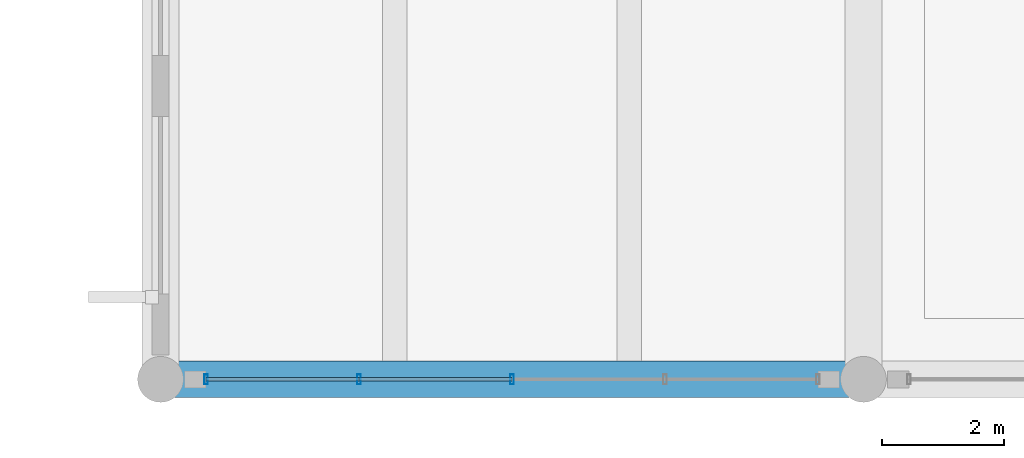
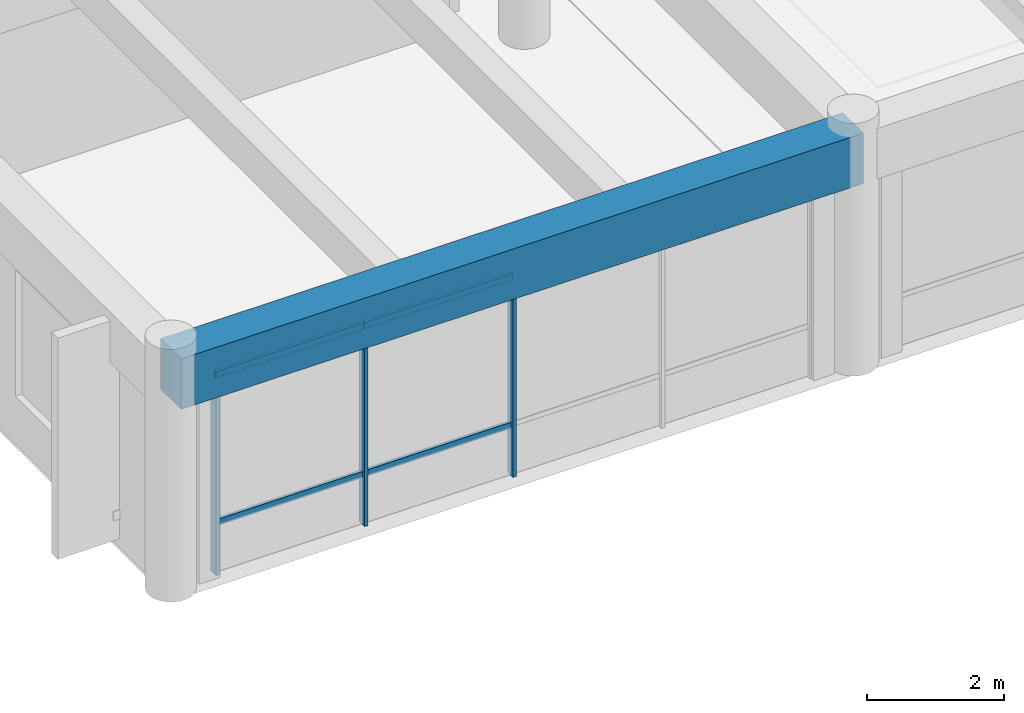
# One storey, part 6 of 154: 7 members, 1 beam, 1 element without a shape of its own.
"""IFC4 building model written with IfcOpenShell, lengths in metres."""

from ifc_helpers import new_model, si_unit, direction, frame, origin, origin_2d, place, context, subcontext, project, spatial, rectangle, hollow_rectangle, extrude, material, material_profile, profile_set, type_object, element, aggregate, save


model = new_model("IFC4")

# Units and contexts
model_context = context("Model", 3, precision=1e-05, world=origin(), true_north=direction((0.0, 1.0)))
body_context = subcontext(model_context, "Body", "Model", "MODEL_VIEW")
ifc_project = project(units=[si_unit("LENGTHUNIT", "METRE"), si_unit("AREAUNIT", "SQUARE_METRE"), si_unit("VOLUMEUNIT", "CUBIC_METRE"), si_unit("PLANEANGLEUNIT", "RADIAN"), si_unit("MASSUNIT", "GRAM", prefix="KILO")], contexts=[model_context])

# Site, building, storey
site_placement = place(None, origin())
site = spatial("IfcSite", under=ifc_project, at=site_placement, CompositionType="ELEMENT")
building_placement = place(site_placement, origin())
building = spatial("IfcBuilding", under=site, at=building_placement, Name="Ologun Quay Terminus", CompositionType="ELEMENT")
storey_placement = place(building_placement, frame((0.0, 0.0, 13.800048828125)))
storey = spatial("IfcBuildingStorey", under=building, at=storey_placement, Name="L03", CompositionType="ELEMENT", Elevation=13.800048828125)

# Curtain wall, members
ifc_material_1 = material(Name="Aluminium 6063-T6", Category="aluminium")
curtain_wall_type = type_object("IfcCurtainWallType", Name="South Pavilion Reading Hall Curtain Wall 10700x4150", PredefinedType="USERDEFINED", material=ifc_material_1)
curtain_wall_placement = place(storey_placement, origin())
curtain_wall = element("IfcCurtainWall", 1, at=curtain_wall_placement, inside=storey, type_object=curtain_wall_type, Name="CW-06 Curtain Wall CW-L03-034", ObjectType="UNITISED CURTAIN WALL", PredefinedType="USERDEFINED")
ifc_material_2 = material(Name="Aluminium 6063-T6", Category="aluminium")
ifc_material_profile_1 = material_profile(ifc_material_2, hollow_rectangle(XDim=0.06005859375, YDim=0.159912109375, WallThickness=0.00390625, at=origin_2d()), Name="ALU 160x60x4")
ifc_profile_set_1 = profile_set([ifc_material_profile_1], Name="Aluminium 6063-T6")
member_type_1 = type_object("IfcMemberType", Name="Curtain Wall Standard Mullion 160x65", PredefinedType="MULLION", material=ifc_profile_set_1)
member_1_placement = place(storey_placement, frame((58.2451171875, 8.0, 0.0), z_axis=(0.0, 0.0, 1.0), x_axis=(1.0, 0.0, 0.0)))
member_1 = element("IfcMember", 2, at=member_1_placement, type_object=member_type_1, Name="CW-L03-034 Mullion 1", PredefinedType="MULLION", context=body_context, shape_type="SweptSolid", body=[
    extrude(hollow_rectangle(XDim=0.06005859375, YDim=0.159912109375, WallThickness=0.00390625, at=origin_2d()), origin(), (0.0, 0.0, 1.0), 4.239990234375),
])
member_2_placement = place(storey_placement, frame((60.74755859375, 8.0, 0.0), z_axis=(0.0, 0.0, 1.0), x_axis=(1.0, 0.0, 0.0)))
member_2 = element("IfcMember", 3, at=member_2_placement, type_object=member_type_1, Name="CW-L03-034 Mullion 2", PredefinedType="MULLION", context=body_context, shape_type="SweptSolid", body=[
    extrude(hollow_rectangle(XDim=0.06005859375, YDim=0.159912109375, WallThickness=0.00390625, at=origin_2d()), origin(), (0.0, 0.0, 1.0), 4.239990234375),
])
member_3_placement = place(storey_placement, frame((63.25, 8.0, 0.0), z_axis=(0.0, 0.0, 1.0), x_axis=(1.0, 0.0, 0.0)))
member_3 = element("IfcMember", 4, at=member_3_placement, type_object=member_type_1, Name="CW-L03-034 Mullion 3", PredefinedType="MULLION", context=body_context, shape_type="SweptSolid", body=[
    extrude(hollow_rectangle(XDim=0.06005859375, YDim=0.159912109375, WallThickness=0.00390625, at=origin_2d()), origin(), (0.0, 0.0, 1.0), 4.239990234375),
])
ifc_material_3 = material(Name="Aluminium 6063-T6", Category="aluminium")
ifc_material_profile_2 = material_profile(ifc_material_3, hollow_rectangle(XDim=0.054931640625, YDim=0.110107421875, WallThickness=0.00390625, at=origin_2d()), Name="ALU 110x55x4")
ifc_profile_set_2 = profile_set([ifc_material_profile_2], Name="Aluminium 6063-T6")
member_type_2 = type_object("IfcMemberType", Name="Curtain Wall Standard Transom 110x55", PredefinedType="USERDEFINED", material=ifc_profile_set_2)
member_4_placement = place(storey_placement, frame((58.2451171875, 8.0, 0.89990234375), z_axis=(1.0, 0.0, 0.0), x_axis=(0.0, 1.0, 0.0)))
member_4 = element("IfcMember", 5, at=member_4_placement, type_object=member_type_2, Name="CW-L03-034 Transom B1-1", ObjectType="TRANSOM", PredefinedType="USERDEFINED", context=body_context, shape_type="SweptSolid", body=[
    extrude(hollow_rectangle(XDim=0.054931640625, YDim=0.110107421875, WallThickness=0.00390625, at=origin_2d()), origin(), (0.0, 0.0, 1.0), 2.50244140625),
])
member_5_placement = place(storey_placement, frame((58.2451171875, 8.0, 3.5400390625), z_axis=(1.0, 0.0, 0.0), x_axis=(0.0, 1.0, 0.0)))
member_5 = element("IfcMember", 6, at=member_5_placement, type_object=member_type_2, Name="CW-L03-034 Transom B1-2", ObjectType="TRANSOM", PredefinedType="USERDEFINED", context=body_context, shape_type="SweptSolid", body=[
    extrude(hollow_rectangle(XDim=0.054931640625, YDim=0.110107421875, WallThickness=0.00390625, at=origin_2d()), origin(), (0.0, 0.0, 1.0), 2.50244140625),
])
member_6_placement = place(storey_placement, frame((60.74755859375, 8.0, 0.89990234375), z_axis=(1.0, 0.0, 0.0), x_axis=(0.0, 1.0, 0.0)))
member_6 = element("IfcMember", 7, at=member_6_placement, type_object=member_type_2, Name="CW-L03-034 Transom B2-1", ObjectType="TRANSOM", PredefinedType="USERDEFINED", context=body_context, shape_type="SweptSolid", body=[
    extrude(hollow_rectangle(XDim=0.054931640625, YDim=0.110107421875, WallThickness=0.00390625, at=origin_2d()), origin(), (0.0, 0.0, 1.0), 2.50244140625),
])
member_7_placement = place(storey_placement, frame((60.74755859375, 8.0, 3.5400390625), z_axis=(1.0, 0.0, 0.0), x_axis=(0.0, 1.0, 0.0)))
member_7 = element("IfcMember", 8, at=member_7_placement, type_object=member_type_2, Name="CW-L03-034 Transom B2-2", ObjectType="TRANSOM", PredefinedType="USERDEFINED", context=body_context, shape_type="SweptSolid", body=[
    extrude(hollow_rectangle(XDim=0.054931640625, YDim=0.110107421875, WallThickness=0.00390625, at=origin_2d()), origin(), (0.0, 0.0, 1.0), 2.50244140625),
])
aggregate(curtain_wall, [member_1, member_2, member_3, member_4, member_5, member_6, member_7])

# Beam
ifc_material_4 = material(Name="Concrete C40/50", Category="concrete")
ifc_material_profile_3 = material_profile(ifc_material_4, rectangle(XDim=0.60009765625, YDim=0.89990234375, at=origin_2d()), Name="RC 600x900")
ifc_profile_set_3 = profile_set([ifc_material_profile_3], Name="Concrete C40/50")
beam_type = type_object("IfcBeamType", Name="Station Frame Girder 600x900", PredefinedType="BEAM", material=ifc_profile_set_3)
beam_placement = place(storey_placement, frame((57.5, 8.0, 3.800048828125), z_axis=(1.0, 0.0, 0.0), x_axis=(0.0, 1.0, 0.0)))
element("IfcBeam", 9, at=beam_placement, inside=storey, type_object=beam_type, Name="B3 Beam 6/B L03", PredefinedType="BEAM", context=body_context, shape_type="SweptSolid", body=[
    extrude(rectangle(XDim=0.60009765625, YDim=0.89990234375, at=origin_2d()), origin(), (0.0, 0.0, 1.0), 11.5),
])

save(model, "model.ifc")
